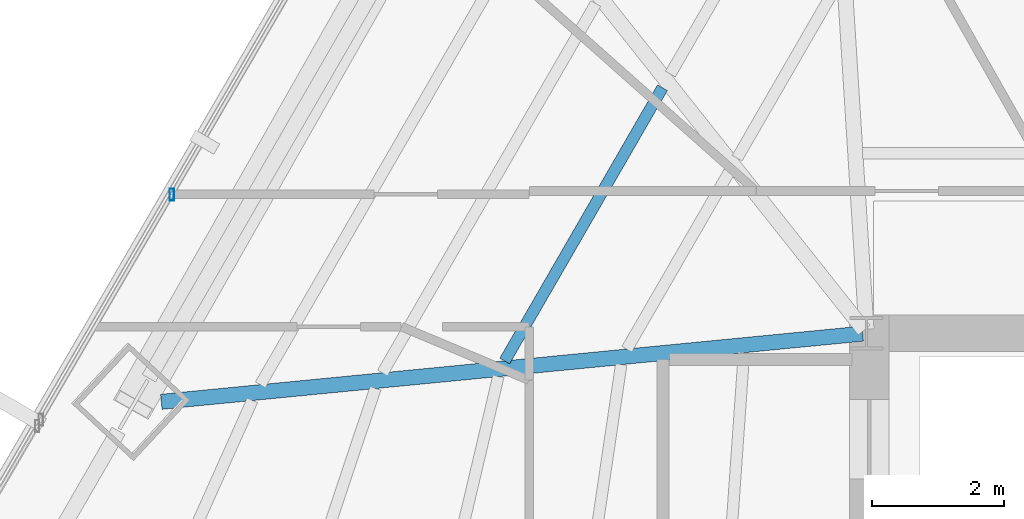
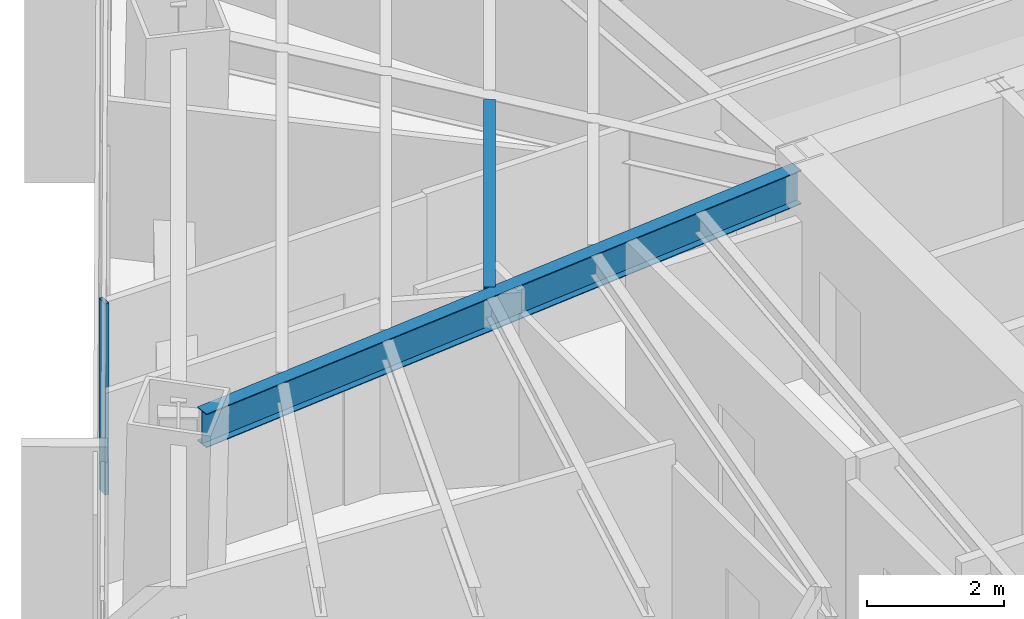
# One storey, part 12 of 34: 2 beams, 1 member, 1 element without a shape of its own.
"""IFC4 building model written with IfcOpenShell, lengths in metres."""

from ifc_helpers import new_model, si_unit, direction, frame, origin, origin_2d, place, context, subcontext, project, spatial, hollow_rectangle, i_section, extrude, source, transform, mapped, material, material_profile, profile_set, type_object, type_shapes, element, aggregate, save


model = new_model("IFC4")

# Units and contexts
model_context = context("Model", 3, precision=1e-05, world=origin(), true_north=direction((0.0, 1.0)))
body_context = subcontext(model_context, "Body", "Model", "MODEL_VIEW")
ifc_project = project(units=[si_unit("LENGTHUNIT", "METRE"), si_unit("AREAUNIT", "SQUARE_METRE"), si_unit("VOLUMEUNIT", "CUBIC_METRE"), si_unit("PLANEANGLEUNIT", "RADIAN"), si_unit("MASSUNIT", "GRAM", prefix="KILO")], contexts=[model_context])

# Site, building, storey
site_placement = place(None, origin())
site = spatial("IfcSite", under=ifc_project, at=site_placement, CompositionType="ELEMENT")
building_placement = place(site_placement, origin())
building = spatial("IfcBuilding", under=site, at=building_placement, Name="Caelisora Broadcast Tower", CompositionType="ELEMENT")
storey_placement = place(building_placement, frame((0.0, 0.0, 56.800048828125)))
storey = spatial("IfcBuildingStorey", under=building, at=storey_placement, Name="L14", CompositionType="ELEMENT", Elevation=56.800048828125)

# Beams
ifc_material_1 = material(Name="Steel Grade 350 (AS/NZS 3679.1)", Category="steel")
ifc_material_profile_1 = material_profile(ifc_material_1, i_section(OverallWidth=0.22802734375, OverallDepth=0.602294921875, WebThickness=0.010498046875, FlangeThickness=0.014892578125, at=origin_2d()), Name="Steel Grade 350 (AS/NZS 3679.1)")
ifc_profile_set_1 = profile_set([ifc_material_profile_1], Name="Steel Grade 350 (AS/NZS 3679.1)")
beam_type_1 = type_object("IfcBeamType", Name="PG04", PredefinedType="BEAM", material=ifc_profile_set_1)
shared_shape_1 = source(origin(), body_context, "Body", "SweptSolid", [
    extrude(i_section(OverallWidth=0.22802734375, OverallDepth=0.602294921875, WebThickness=0.010498046875, FlangeThickness=0.014892578125, at=origin_2d()), origin(), (0.0, 0.0, 1.0), 10.64892578125),
])
type_shapes(beam_type_1, [shared_shape_1])
beam_1_placement = place(storey_placement, frame((30.440185546875, 29.994140625, 3.098876953125), z_axis=(-0.995304309224, -0.096795310012, 0.0), x_axis=(0.096795310012, -0.995304309224, 0.0)))
element("IfcBeam", 1, at=beam_1_placement, inside=storey, type_object=beam_type_1, Name="L14 beam PG04", PredefinedType="BEAM", context=body_context, shape_type="MappedRepresentation", body=[
    mapped(shared_shape_1, transform((0.0, 0.0, 0.0), scale=1.0)),
])
ifc_material_profile_2 = material_profile(ifc_material_1, i_section(OverallWidth=0.172119140625, OverallDepth=0.358642578125, WebThickness=0.008056640625, FlangeThickness=0.012939453125, at=origin_2d()), Name="Steel Grade 350 (AS/NZS 3679.1)")
ifc_profile_set_2 = profile_set([ifc_material_profile_2], Name="Steel Grade 350 (AS/NZS 3679.1)")
beam_type_2 = type_object("IfcBeamType", Name="SB02", PredefinedType="JOIST", material=ifc_profile_set_2)
shared_shape_2 = source(origin(), body_context, "Body", "SweptSolid", [
    extrude(i_section(OverallWidth=0.172119140625, OverallDepth=0.358642578125, WebThickness=0.008056640625, FlangeThickness=0.012939453125, at=origin_2d()), origin(), (0.0, 0.0, 1.0), 4.768310546875),
])
type_shapes(beam_type_2, [shared_shape_2])
beam_2_placement = place(storey_placement, frame((27.414306640625, 33.709716796875, 3.220703125), z_axis=(-0.499966215292, -0.866044908516, 0.0), x_axis=(0.866044908516, -0.499966215292, 0.0)))
element("IfcBeam", 2, at=beam_2_placement, inside=storey, type_object=beam_type_2, Name="L14 beam SB02", PredefinedType="JOIST", context=body_context, shape_type="MappedRepresentation", body=[
    mapped(shared_shape_2, transform((0.0, 0.0, 0.0), scale=1.0)),
])

# Curtain wall, member
ifc_material_2 = material(Name="Unitised Aluminium Insulated Shadow-Box Spandrel Curtain Wall", Category="aluminium")
curtain_wall_type = type_object("IfcCurtainWallType", Name="CW-SP1", PredefinedType="NOTDEFINED", material=ifc_material_2)
curtain_wall_placement = place(storey_placement, origin())
curtain_wall = element("IfcCurtainWall", 3, at=curtain_wall_placement, inside=storey, type_object=curtain_wall_type, Name="L14 curtain wall CW-SP1", PredefinedType="NOTDEFINED")
ifc_material_3 = material(Name="Aluminium 6063-T6 Anodised Terracotta Bronze", Category="aluminium")
ifc_material_profile_3 = material_profile(ifc_material_3, hollow_rectangle(XDim=0.06494140625, YDim=0.179931640625, WallThickness=0.00341796875, at=origin_2d()), Name="Aluminium 6063-T6 Anodised Terracotta Bronze")
ifc_profile_set_3 = profile_set([ifc_material_profile_3], Name="Aluminium 6063-T6 Anodised Terracotta Bronze")
member_type = type_object("IfcMemberType", Name="CWM-02", PredefinedType="MULLION", material=ifc_profile_set_3)
shared_shape_3 = source(origin(), body_context, "Body", "SweptSolid", [
    extrude(hollow_rectangle(XDim=0.06494140625, YDim=0.179931640625, WallThickness=0.00341796875, at=origin_2d()), origin(), (0.0, 0.0, 1.0), 3.39990234375),
])
type_shapes(member_type, [shared_shape_3])
member_placement = place(storey_placement, frame((20.001220703125, 32.094482421875, 0.0), z_axis=(0.0, 0.0, 1.0), x_axis=(1.0, 0.0, 0.0)))
member = element("IfcMember", 4, at=member_placement, type_object=member_type, Name="L14-CW-B10 mullion #1", PredefinedType="MULLION", context=body_context, shape_type="MappedRepresentation", body=[
    mapped(shared_shape_3, transform((0.0, 0.0, 0.0), scale=1.0)),
])
aggregate(curtain_wall, [member])

save(model, "model.ifc")
